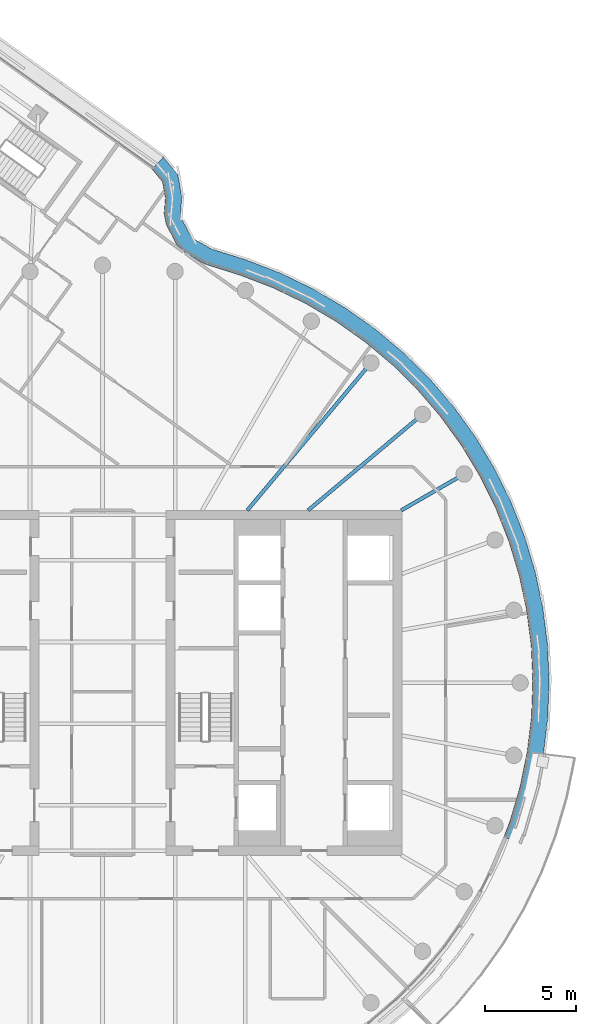
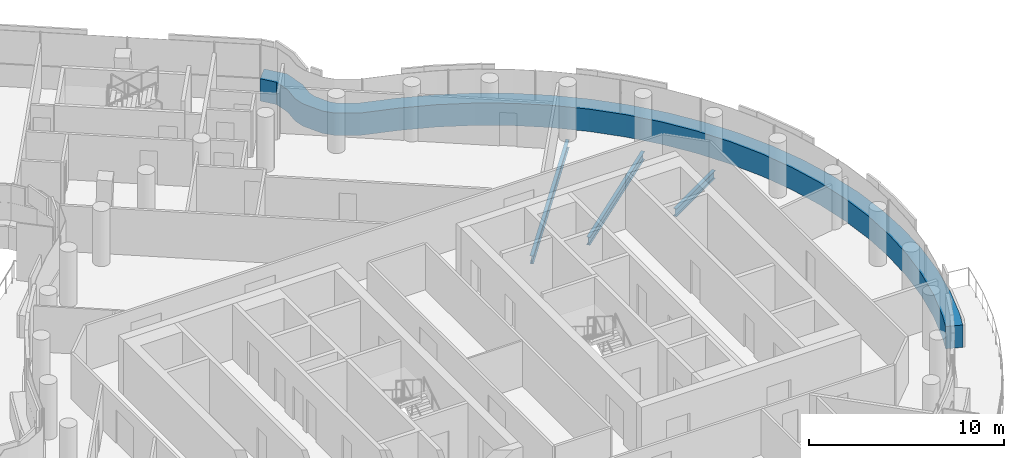
# One storey, part 12 of 27: 3 beams, 1 member, 1 element without a shape of its own.
"""IFC4 building model written with IfcOpenShell, lengths in metres."""

from ifc_helpers import new_model, si_unit, direction, frame, origin, origin_2d, place, context, subcontext, project, spatial, polyline, i_section, outline, extrude, material, layer, layer_set, material_profile, profile_set, type_object, element, aggregate, save


model = new_model("IFC4")

# Units and contexts
model_context = context("Model", 3, precision=1e-05, world=origin(), true_north=direction((0.0, 1.0)))
body_context = subcontext(model_context, "Body", "Model", "MODEL_VIEW")
ifc_project = project(units=[si_unit("LENGTHUNIT", "METRE"), si_unit("AREAUNIT", "SQUARE_METRE"), si_unit("VOLUMEUNIT", "CUBIC_METRE"), si_unit("PLANEANGLEUNIT", "RADIAN"), si_unit("MASSUNIT", "GRAM", prefix="KILO")], contexts=[model_context])

# Site, building, storey
site_placement = place(None, origin())
site = spatial("IfcSite", under=ifc_project, at=site_placement, CompositionType="ELEMENT")
building_placement = place(site_placement, origin())
building = spatial("IfcBuilding", under=site, at=building_placement, Name="Tamarind Cross Interchange Tower", CompositionType="ELEMENT")
storey_placement = place(building_placement, frame((0.0, 0.0, 230.699951171875)))
storey = spatial("IfcBuildingStorey", under=building, at=storey_placement, Name="L58", CompositionType="ELEMENT", Elevation=230.699951171875)

# Beams
ifc_material_1 = material(Name="Steel Q355B", Category="steel")
ifc_material_profile = material_profile(ifc_material_1, i_section(OverallWidth=0.198974609375, OverallDepth=0.49609375, WebThickness=0.009033203125, FlangeThickness=0.013916015625, FilletRadius=0.012939453125, at=origin_2d()), Name="HN 496x199x9x14")
ifc_profile_set = profile_set([ifc_material_profile], Name="Steel Q355B")
beam_type = type_object("IfcBeamType", Name="Composite beam HN 496x199x9x14 Q355B", PredefinedType="BEAM", material=ifc_profile_set)
beam_1_placement = place(storey_placement, frame((19.918701171875, 11.5, -0.387939453125), z_axis=(-0.866026010844, -0.49999894854, 0.0), x_axis=(0.49999894854, -0.866026010844, 0.0)))
element("IfcBeam", 1, at=beam_1_placement, inside=storey, type_object=beam_type, Name="Beam HH03", PredefinedType="BEAM", context=body_context, shape_type="SweptSolid", body=[
    extrude(i_section(OverallWidth=0.198974609375, OverallDepth=0.49609375, WebThickness=0.009033203125, FlangeThickness=0.013916015625, FilletRadius=0.012939453125, at=origin_2d()), origin(), (0.0, 0.0, 1.0), 4.0),
])
beam_2_placement = place(storey_placement, frame((17.619140625, 14.7841796875, -0.387939453125), z_axis=(-0.766040580814, -0.642792212574, 0.0), x_axis=(0.642792212574, -0.766040580814, 0.0)))
element("IfcBeam", 2, at=beam_2_placement, inside=storey, type_object=beam_type, Name="Beam HH04", PredefinedType="BEAM", context=body_context, shape_type="SweptSolid", body=[
    extrude(i_section(OverallWidth=0.198974609375, OverallDepth=0.49609375, WebThickness=0.009033203125, FlangeThickness=0.013916015625, FilletRadius=0.012939453125, at=origin_2d()), origin(), (0.0, 0.0, 1.0), 8.220703125),
])
beam_3_placement = place(storey_placement, frame((14.7841796875, 17.619140625, -0.387939453125), z_axis=(-0.642786293979, -0.766045547127, 0.0), x_axis=(0.766045547127, -0.642786293979, 0.0)))
element("IfcBeam", 3, at=beam_3_placement, inside=storey, type_object=beam_type, Name="Beam HH05", PredefinedType="BEAM", context=body_context, shape_type="SweptSolid", body=[
    extrude(i_section(OverallWidth=0.198974609375, OverallDepth=0.49609375, WebThickness=0.009033203125, FlangeThickness=0.013916015625, FilletRadius=0.012939453125, at=origin_2d()), origin(), (0.0, 0.0, 1.0), 10.598876953125),
])

# Curtain wall, member
ifc_material_2 = material(Name="Aluminium 6063-T6", Category="aluminium")
ifc_layer = layer(ifc_material_2, 0.139892578125)
ifc_layer_set = layer_set([ifc_layer], Name="Aluminium 6063-T6")
curtain_wall_type = type_object("IfcCurtainWallType", Name="Hotel curtain wall, 4.5 m bays", PredefinedType="NOTDEFINED", material=ifc_layer_set)
curtain_wall_placement = place(storey_placement, origin())
curtain_wall = element("IfcCurtainWall", 4, at=curtain_wall_placement, inside=storey, type_object=curtain_wall_type, Name="CWS-L58-02", PredefinedType="NOTDEFINED")
ifc_material_3 = material(Name="Aluminium and insulated spandrel panel", Category="aluminium")
member_type = type_object("IfcMemberType", Name="Floor-edge blade transom", PredefinedType="USERDEFINED", material=ifc_material_3)
member_placement = place(storey_placement, origin())
member = element("IfcMember", 5, at=member_placement, type_object=member_type, Name="CWT-L58-02-1", ObjectType="TRANSOM", PredefinedType="USERDEFINED", context=body_context, shape_type="SweptSolid", body=[
    extrude(outline(polyline([(22.100341796875, -8.4912109375), (22.444580078125, -7.597412109375), (22.995361328125, -5.718017578125), (23.38916015625, -3.799560546875), (23.623046875, -1.855224609375), (23.695556640625, 0.10205078125), (23.606201171875, 2.058349609375), (23.35546875, 4.000732421875), (22.9453125, 5.915771484375), (22.37841796875, 7.790283203125), (21.65869140625, 9.61181640625), (20.791015625, 11.367431640625), (19.78125, 13.045654296875), (18.636474609375, 14.634521484375), (17.3642578125, 16.12353515625), (15.973388671875, 17.50244140625), (14.4736328125, 18.76171875), (12.874755859375, 19.892822265625), (11.188232421875, 20.88818359375), (9.425048828125, 21.74072265625), (7.5947265625, 22.44580078125), (5.629150390625, 23.0625), (4.493896484375, 23.7255859375), (4.060791015625, 24.1796875), (3.51416015625, 25.22705078125), (3.389404296875, 25.842041015625), (3.459228515625, 26.711181640625), (3.30078125, 27.596435546875), (2.7275390625, 28.28955078125), (3.3466796875, 28.952880859375), (4.14501953125, 27.98779296875), (4.365478515625, 26.7548828125), (4.296630859375, 25.896728515625), (4.370849609375, 25.53076171875), (4.7998046875, 24.708984375), (5.0576171875, 24.438720703125), (5.995361328125, 23.890869140625), (7.8916015625, 23.2958984375), (9.783203125, 22.567138671875), (11.613525390625, 21.68212890625), (13.3642578125, 20.64892578125), (15.023681640625, 19.474853515625), (16.580810546875, 18.167724609375), (18.0244140625, 16.736572265625), (19.344970703125, 15.19091796875), (20.533203125, 13.54150390625), (21.581298828125, 11.799560546875), (22.482177734375, 9.97705078125), (23.229248046875, 8.08642578125), (23.817626953125, 6.140625), (24.243408203125, 4.15283203125), (24.50341796875, 2.13671875), (24.59619140625, 0.10595703125), (24.52099609375, -1.925537109375), (24.2783203125, -3.944091796875), (23.86962890625, -5.935302734375), (23.2978515625, -7.88623046875), (22.9404296875, -8.814208984375), (22.100341796875, -8.4912109375)])), origin(), (0.0, 0.0, 1.0), 1.400146484375),
])
aggregate(curtain_wall, [member])

save(model, "model.ifc")
